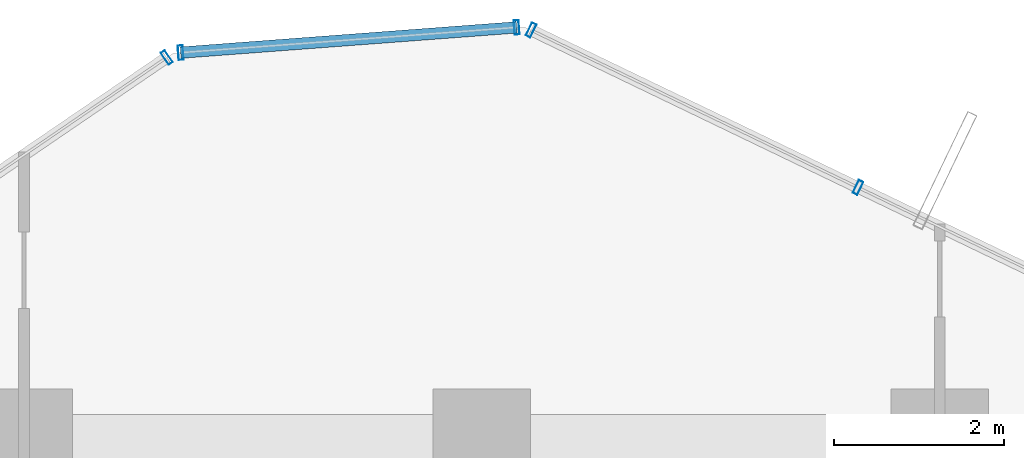
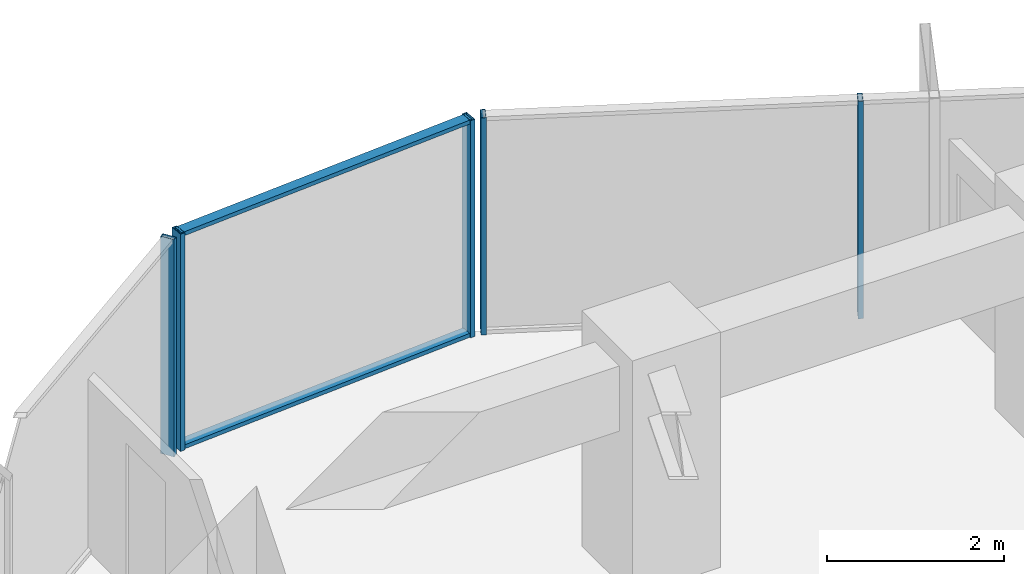
# One storey, part 27 of 35: 7 members, 3 elements without a shape of their own.
"""IFC4 building model written with IfcOpenShell, lengths in metres."""

from ifc_helpers import new_model, si_unit, direction, frame, origin, origin_2d, place, context, subcontext, project, spatial, hollow_rectangle, extrude, source, transform, mapped, material, layer, layer_set, material_profile, profile_set, type_object, element, aggregate, save


model = new_model("IFC4")

# Units and contexts
model_context = context("Model", 3, precision=1e-05, world=origin(), true_north=direction((0.0, 1.0)))
body_context = subcontext(model_context, "Body", "Model", "MODEL_VIEW")
ifc_project = project(units=[si_unit("LENGTHUNIT", "METRE"), si_unit("AREAUNIT", "SQUARE_METRE"), si_unit("VOLUMEUNIT", "CUBIC_METRE"), si_unit("PLANEANGLEUNIT", "RADIAN"), si_unit("MASSUNIT", "GRAM", prefix="KILO")], contexts=[model_context])

# Site, building, storey
site_placement = place(None, origin())
site = spatial("IfcSite", under=ifc_project, at=site_placement, CompositionType="ELEMENT")
building_placement = place(site_placement, origin())
building = spatial("IfcBuilding", under=site, at=building_placement, Name="Veraguas Prism Commons", CompositionType="ELEMENT")
storey_placement = place(building_placement, frame((0.0, 0.0, 142.5)))
storey = spatial("IfcBuildingStorey", under=building, at=storey_placement, Name="L40", CompositionType="ELEMENT", Elevation=142.5)

# Curtain wall, members
ifc_material = material(Name="Anodised aluminium EN AW-6063 T6", Category="aluminium")
ifc_layer = layer(ifc_material, 0.169921875, Name="Unitised Flush Curtain Wall Zone 2", Category="aluminium")
ifc_layer_set = layer_set([ifc_layer], Name="Anodised aluminium EN AW-6063 T6")
curtain_wall_type = type_object("IfcCurtainWallType", Name="Unitised Flush Curtain Wall Zone 2", PredefinedType="NOTDEFINED", material=ifc_layer_set)
curtain_wall_1_placement = place(storey_placement, origin())
curtain_wall_1 = element("IfcCurtainWall", 1, at=curtain_wall_1_placement, inside=storey, type_object=curtain_wall_type, Name="Tower Facade Curtain Wall L40-F1", PredefinedType="NOTDEFINED")
ifc_material_profile_1 = material_profile(ifc_material, hollow_rectangle(XDim=0.06005859375, YDim=0.169921875, WallThickness=0.00390625, at=origin_2d()), Name="AL60X170X4")
ifc_profile_set_1 = profile_set([ifc_material_profile_1], Name="Anodised aluminium EN AW-6063 T6")
member_type_1 = type_object("IfcMemberType", Name="Curtain Wall Mullion Lower AL 60x170x4", PredefinedType="MULLION", material=ifc_profile_set_1)
shared_shape_1 = source(origin(), body_context, "Body", "SweptSolid", [
    extrude(hollow_rectangle(XDim=0.06005859375, YDim=0.169921875, WallThickness=0.00390625, at=origin_2d()), origin(), (0.0, 0.0, 1.0), 3.0),
])
member_1_placement = place(storey_placement, frame((28.436279296875, 43.1533203125, 0.0), z_axis=(0.0, 0.0, 1.0), x_axis=(-0.901075507561, 0.433662229937, 0.0)))
member_1 = element("IfcMember", 2, at=member_1_placement, type_object=member_type_1, Name="CW-Z2 Mullion 4", PredefinedType="MULLION", context=body_context, shape_type="MappedRepresentation", body=[
    mapped(shared_shape_1, transform((0.0, 0.0, 0.0), scale=1.0)),
])
member_2_placement = place(storey_placement, frame((24.580810546875, 45.0087890625, 0.0), z_axis=(0.0, 0.0, 1.0), x_axis=(-0.901075507561, 0.433662229937, 0.0)))
member_2 = element("IfcMember", 3, at=member_2_placement, type_object=member_type_1, Name="CW-Z2 Mullion 5", PredefinedType="MULLION", context=body_context, shape_type="MappedRepresentation", body=[
    mapped(shared_shape_1, transform((0.0, 0.0, 0.0), scale=1.0)),
])
aggregate(curtain_wall_1, [member_1, member_2])

# Curtain wall, member
curtain_wall_2_placement = place(storey_placement, origin())
curtain_wall_2 = element("IfcCurtainWall", 4, at=curtain_wall_2_placement, inside=storey, type_object=curtain_wall_type, Name="Tower Facade Curtain Wall L40-F2", PredefinedType="NOTDEFINED")
member_3_placement = place(storey_placement, frame((20.283935546875, 44.685791015625, 0.0), z_axis=(0.0, 0.0, 1.0), x_axis=(-0.826097310956, -0.56352749075, 0.0)))
member_3 = element("IfcMember", 5, at=member_3_placement, type_object=member_type_1, Name="CW-Z2 Mullion 1", PredefinedType="MULLION", context=body_context, shape_type="MappedRepresentation", body=[
    mapped(shared_shape_1, transform((0.0, 0.0, 0.0), scale=1.0)),
])
aggregate(curtain_wall_2, [member_3])

# Curtain wall, members
curtain_wall_3_placement = place(storey_placement, origin())
curtain_wall_3 = element("IfcCurtainWall", 6, at=curtain_wall_3_placement, inside=storey, type_object=curtain_wall_type, Name="Chamfer Curtain Wall L40-C2", PredefinedType="NOTDEFINED")
member_4_placement = place(storey_placement, frame((24.41015625, 45.041015625, 0.0), z_axis=(0.0, 0.0, 1.0), x_axis=(-0.997185133525, -0.074978726826, 0.0)))
member_4 = element("IfcMember", 7, at=member_4_placement, type_object=member_type_1, Name="CW-Z2 Mullion 1", PredefinedType="MULLION", context=body_context, shape_type="MappedRepresentation", body=[
    mapped(shared_shape_1, transform((0.0, 0.0, 0.0), scale=1.0)),
])
member_5_placement = place(storey_placement, frame((20.447998046875, 44.7431640625, 0.0), z_axis=(0.0, 0.0, 1.0), x_axis=(-0.997185133525, -0.074978726826, 0.0)))
member_5 = element("IfcMember", 8, at=member_5_placement, type_object=member_type_1, Name="CW-Z2 Mullion 2", PredefinedType="MULLION", context=body_context, shape_type="MappedRepresentation", body=[
    mapped(shared_shape_1, transform((0.0, 0.0, 0.0), scale=1.0)),
])
ifc_material_profile_2 = material_profile(ifc_material, hollow_rectangle(XDim=0.054931640625, YDim=0.135009765625, WallThickness=0.0029296875, at=origin_2d()), Name="AL55X135X3")
ifc_profile_set_2 = profile_set([ifc_material_profile_2], Name="Anodised aluminium EN AW-6063 T6")
member_type_2 = type_object("IfcMemberType", Name="Curtain Wall Transom Standard AL 55x135x3", PredefinedType="USERDEFINED", material=ifc_profile_set_2)
shared_shape_2 = source(origin(), body_context, "Body", "SweptSolid", [
    extrude(hollow_rectangle(XDim=0.054931640625, YDim=0.135009765625, WallThickness=0.0029296875, at=origin_2d()), origin(), (0.0, 0.0, 1.0), 3.973388671875),
])
member_6_placement = place(storey_placement, frame((24.41015625, 45.041015625, 0.027587890625), z_axis=(-0.99718634917, -0.07496255752, 0.0), x_axis=(0.0, 0.0, 1.0)))
member_6 = element("IfcMember", 9, at=member_6_placement, type_object=member_type_2, Name="CW-Z2 Transom 1", ObjectType="TRANSOM", PredefinedType="USERDEFINED", context=body_context, shape_type="MappedRepresentation", body=[
    mapped(shared_shape_2, transform((0.0, 0.0, 0.0), scale=1.0)),
])
member_7_placement = place(storey_placement, frame((24.41015625, 45.041015625, 2.972412109375), z_axis=(-0.99718634917, -0.07496255752, 0.0), x_axis=(0.0, 0.0, 1.0)))
member_7 = element("IfcMember", 10, at=member_7_placement, type_object=member_type_2, Name="CW-Z2 Transom 2", ObjectType="TRANSOM", PredefinedType="USERDEFINED", context=body_context, shape_type="MappedRepresentation", body=[
    mapped(shared_shape_2, transform((0.0, 0.0, 0.0), scale=1.0)),
])
aggregate(curtain_wall_3, [member_4, member_5, member_6, member_7])

save(model, "model.ifc")
